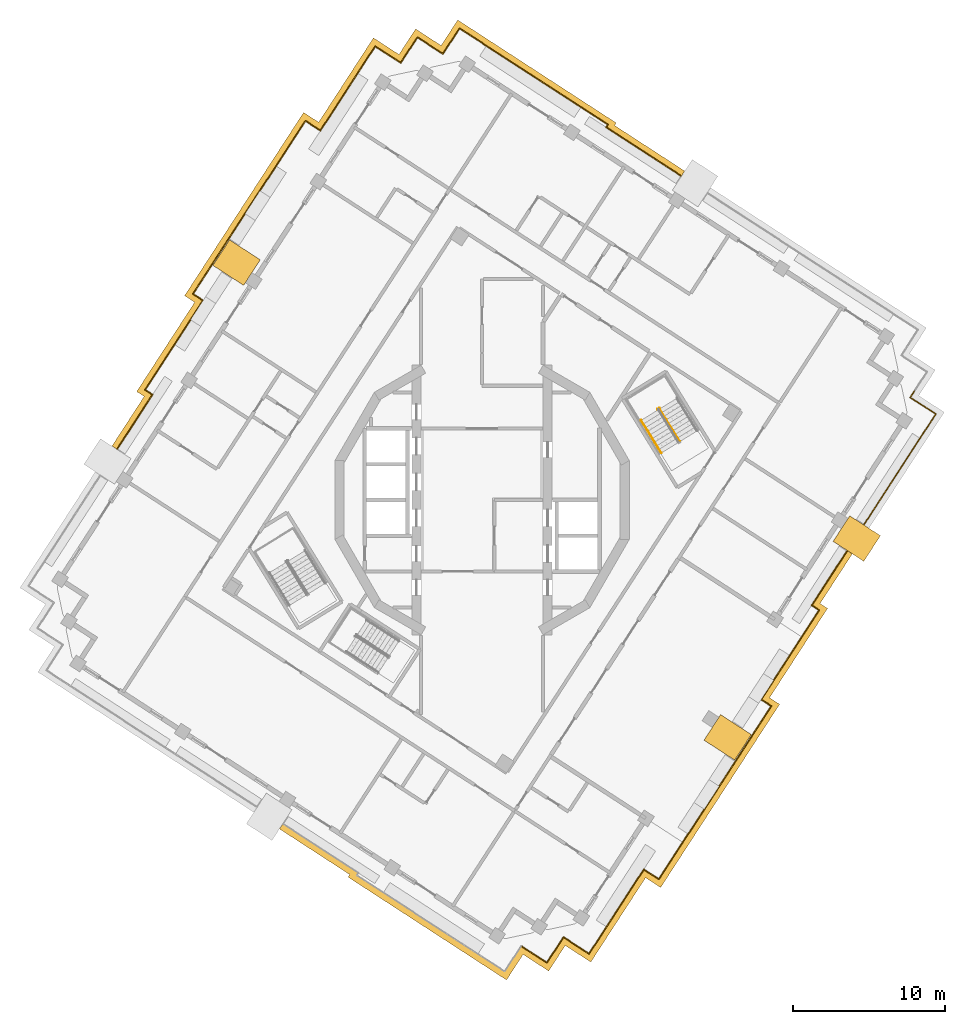
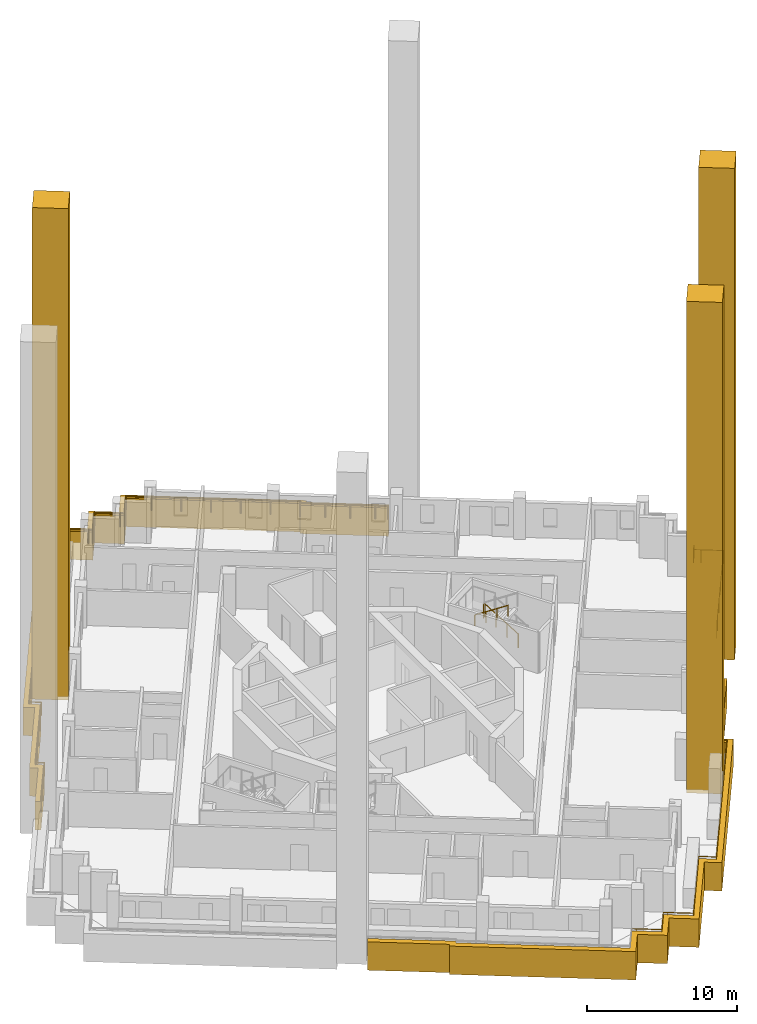
# One storey, part 12 of 15: 6 railings, 5 coverings.
"""IFC4 building model written with IfcOpenShell, lengths in metres."""

from ifc_helpers import new_model, si_unit, direction, frame, origin, origin_2d, place, context, subcontext, project, spatial, polyline, rectangle, circle, outline, extrude, material, type_object, element, save


model = new_model("IFC4")

# Units and contexts
model_context = context("Model", 3, precision=1e-05, world=origin(), true_north=direction((0.0, 1.0)))
body_context = subcontext(model_context, "Body", "Model", "MODEL_VIEW")
ifc_project = project(units=[si_unit("LENGTHUNIT", "METRE"), si_unit("AREAUNIT", "SQUARE_METRE"), si_unit("VOLUMEUNIT", "CUBIC_METRE"), si_unit("PLANEANGLEUNIT", "RADIAN"), si_unit("MASSUNIT", "GRAM", prefix="KILO")], contexts=[model_context])

# Site, building, storey
site_placement = place(None, origin())
site = spatial("IfcSite", under=ifc_project, at=site_placement, CompositionType="ELEMENT")
building_placement = place(site_placement, origin())
building = spatial("IfcBuilding", under=site, at=building_placement, Name="Cantera Rosa Tower", CompositionType="ELEMENT")
storey_placement = place(building_placement, frame((0.0, 0.0, 250.5)))
storey = spatial("IfcBuildingStorey", under=building, at=storey_placement, Name="L55", CompositionType="ELEMENT", Elevation=250.5)

# Railings
ifc_material_1 = material(Name="Stainless steel and laminated glass", Category="steel")
railing_type_1 = type_object("IfcRailingType", Name="GUARD 1100", PredefinedType="BALUSTRADE", material=ifc_material_1)
railing_1_placement = place(storey_placement, frame((-5.338134765625, 28.68505859375, 0.0)))
element("IfcRailing", 1, at=railing_1_placement, inside=storey, type_object=railing_type_1, Name="GUARD L55-3", PredefinedType="BALUSTRADE", context=body_context, shape_type="SweptSolid", body=[
    extrude(circle(Radius=0.030029296875, at=origin_2d()), frame((0.0, 0.0, 1.070068359375), z_axis=(0.5443304008, 0.838870916629, 0.0), x_axis=(-0.838870916629, 0.5443304008, 0.0)), (0.0, 0.0, 1.0), 0.300048828125),
    extrude(circle(Radius=0.030029296875, at=origin_2d()), frame((0.163330078125, 0.251708984375, 1.070068359375), z_axis=(0.544685462014, 0.838640416073, 0.0), x_axis=(-0.838640416073, 0.544685462014, 0.0)), (0.0, 0.0, 1.0), 1.7001953125),
    extrude(circle(Radius=0.030029296875, at=origin_2d()), frame((1.08935546875, 1.677490234375, 1.070068359375), z_axis=(0.83859780397, -0.544751065329, 0.0), x_axis=(0.544751065329, 0.83859780397, 0.0)), (0.0, 0.0, 1.0), 1.699951171875),
    extrude(circle(Radius=0.030029296875, at=origin_2d()), frame((2.514892578125, 0.75146484375, 1.070068359375), z_axis=(0.838870916629, -0.5443304008, 0.0), x_axis=(0.5443304008, 0.838870916629, 0.0)), (0.0, 0.0, 1.0), 0.300048828125),
    extrude(circle(Radius=0.030029296875, at=origin_2d()), frame((2.7666015625, 0.588134765625, 1.070068359375), z_axis=(0.5443304008, 0.838870916629, 0.0), x_axis=(-0.838870916629, 0.5443304008, 0.0)), (0.0, 0.0, 1.0), 0.300048828125),
    extrude(circle(Radius=0.030029296875, at=origin_2d()), frame((2.929931640625, 0.83984375, 1.070068359375), z_axis=(0.544751065329, 0.83859780397, 0.0), x_axis=(-0.83859780397, 0.544751065329, 0.0)), (0.0, 0.0, 1.0), 1.699951171875),
    extrude(circle(Radius=0.030029296875, at=origin_2d()), frame((3.85595703125, 2.265380859375, 1.070068359375), z_axis=(0.838663412569, -0.54465005317, 0.0), x_axis=(0.54465005317, 0.838663412569, 0.0)), (0.0, 0.0, 1.0), 1.69970703125),
    extrude(circle(Radius=0.030029296875, at=origin_2d()), frame((5.281494140625, 1.339599609375, 1.070068359375), z_axis=(0.83867848478, -0.544626843964, 0.0), x_axis=(0.544626843964, 0.83867848478, 0.0)), (0.0, 0.0, 1.0), 9.900146484375),
    extrude(circle(Radius=0.030029296875, at=origin_2d()), frame((13.58447265625, -4.05224609375, 1.070068359375), z_axis=(-0.544516215992, -0.838750314767, 0.0), x_axis=(0.838750314767, -0.544516215992, 0.0)), (0.0, 0.0, 1.0), 0.199951171875),
    extrude(circle(Radius=0.030029296875, at=origin_2d()), frame((13.4755859375, -4.219970703125, 1.070068359375), z_axis=(0.838653278808, -0.544665657027, 0.0), x_axis=(0.544665657027, 0.838653278808, 0.0)), (0.0, 0.0, 1.0), 5.0),
    extrude(circle(Radius=0.030029296875, at=origin_2d()), frame((17.6689453125, -6.943359375, 1.070068359375), z_axis=(0.838725681888, -0.544554157584, 0.0), x_axis=(0.544554157584, 0.838725681888, 0.0)), (0.0, 0.0, 1.0), 0.869873046875),
    extrude(circle(Radius=0.02490234375, at=origin_2d()), origin(), (0.0, 0.0, 1.0), 1.0400390625),
    extrude(circle(Radius=0.02490234375, at=origin_2d()), frame((0.163330078125, 0.251708984375, 0.0)), (0.0, 0.0, 1.0), 1.0400390625),
    extrude(circle(Radius=0.02490234375, at=origin_2d()), frame((1.08935546875, 1.677490234375, 0.0)), (0.0, 0.0, 1.0), 1.0400390625),
    extrude(circle(Radius=0.02490234375, at=origin_2d()), frame((2.514892578125, 0.75146484375, 0.0)), (0.0, 0.0, 1.0), 1.0400390625),
    extrude(circle(Radius=0.02490234375, at=origin_2d()), frame((2.7666015625, 0.588134765625, 0.0)), (0.0, 0.0, 1.0), 1.0400390625),
    extrude(circle(Radius=0.02490234375, at=origin_2d()), frame((2.929931640625, 0.83984375, 0.0)), (0.0, 0.0, 1.0), 1.0400390625),
    extrude(circle(Radius=0.02490234375, at=origin_2d()), frame((3.85595703125, 2.265380859375, 0.0)), (0.0, 0.0, 1.0), 1.0400390625),
    extrude(circle(Radius=0.02490234375, at=origin_2d()), frame((5.281494140625, 1.339599609375, 0.0)), (0.0, 0.0, 1.0), 1.0400390625),
    extrude(circle(Radius=0.02490234375, at=origin_2d()), frame((6.942138671875, 0.26123046875, 0.0)), (0.0, 0.0, 1.0), 1.0400390625),
    extrude(circle(Radius=0.02490234375, at=origin_2d()), frame((8.602783203125, -0.817138671875, 0.0)), (0.0, 0.0, 1.0), 1.0400390625),
    extrude(circle(Radius=0.02490234375, at=origin_2d()), frame((10.26318359375, -1.8955078125, 0.0)), (0.0, 0.0, 1.0), 1.0400390625),
    extrude(circle(Radius=0.02490234375, at=origin_2d()), frame((11.923828125, -2.973876953125, 0.0)), (0.0, 0.0, 1.0), 1.0400390625),
    extrude(circle(Radius=0.02490234375, at=origin_2d()), frame((13.58447265625, -4.05224609375, 0.0)), (0.0, 0.0, 1.0), 1.0400390625),
    extrude(circle(Radius=0.02490234375, at=origin_2d()), frame((13.4755859375, -4.219970703125, 0.0)), (0.0, 0.0, 1.0), 1.0400390625),
    extrude(circle(Radius=0.02490234375, at=origin_2d()), frame((14.873291015625, -5.127685546875, 0.0)), (0.0, 0.0, 1.0), 1.0400390625),
    extrude(circle(Radius=0.02490234375, at=origin_2d()), frame((16.271240234375, -6.03564453125, 0.0)), (0.0, 0.0, 1.0), 1.0400390625),
    extrude(circle(Radius=0.02490234375, at=origin_2d()), frame((17.6689453125, -6.943359375, 0.0)), (0.0, 0.0, 1.0), 1.0400390625),
    extrude(circle(Radius=0.02490234375, at=origin_2d()), frame((18.3984375, -7.4169921875, 0.0)), (0.0, 0.0, 1.0), 1.0400390625),
])
railing_2_placement = place(storey_placement, frame((-23.945556640625, 3.340576171875, 0.0)))
element("IfcRailing", 2, at=railing_2_placement, inside=storey, type_object=railing_type_1, Name="GUARD L55-4", PredefinedType="BALUSTRADE", context=body_context, shape_type="SweptSolid", body=[
    extrude(circle(Radius=0.030029296875, at=origin_2d()), frame((0.0, 0.0, 1.070068359375), z_axis=(0.544623762795, 0.838680485643, 0.0), x_axis=(-0.838680485643, 0.544623762795, 0.0)), (0.0, 0.0, 1.0), 4.2607421875),
    extrude(circle(Radius=0.030029296875, at=origin_2d()), frame((2.320556640625, 3.573486328125, 1.070068359375), z_axis=(-0.838643050361, 0.544681406035, 0.0), x_axis=(-0.544681406035, -0.838643050361, 0.0)), (0.0, 0.0, 1.0), 0.587158203125),
    extrude(circle(Radius=0.030029296875, at=origin_2d()), frame((1.828125, 3.893310546875, 1.070068359375), z_axis=(0.544642131543, 0.838668557029, 0.0), x_axis=(-0.838668557029, 0.544642131543, 0.0)), (0.0, 0.0, 1.0), 6.990478515625),
    extrude(circle(Radius=0.030029296875, at=origin_2d()), frame((5.635498046875, 9.756103515625, 1.070068359375), z_axis=(-0.838697885351, 0.54459696759, 0.0), x_axis=(-0.54459696759, -0.838697885351, 0.0)), (0.0, 0.0, 1.0), 0.78955078125),
    extrude(circle(Radius=0.030029296875, at=origin_2d()), frame((4.973388671875, 10.18603515625, 1.070068359375), z_axis=(0.54463394438, 0.83867387382, 0.0), x_axis=(-0.83867387382, 0.54463394438, 0.0)), (0.0, 0.0, 1.0), 13.537109375),
    extrude(circle(Radius=0.030029296875, at=origin_2d()), frame((12.34619140625, 21.539306640625, 1.070068359375), z_axis=(0.838713269942, -0.544573274062, 0.0), x_axis=(0.544573274062, 0.838713269942, 0.0)), (0.0, 0.0, 1.0), 1.1787109375),
    extrude(circle(Radius=0.030029296875, at=origin_2d()), frame((13.334716796875, 20.8974609375, 1.070068359375), z_axis=(0.544636384681, 0.838672289087, 0.0), x_axis=(-0.838672289087, 0.544636384681, 0.0)), (0.0, 0.0, 1.0), 4.9013671875),
    extrude(circle(Radius=0.030029296875, at=origin_2d()), frame((16.004150390625, 25.008056640625, 1.070068359375), z_axis=(0.544584451758, 0.838706012202, 0.0), x_axis=(-0.838706012202, 0.544584451758, 0.0)), (0.0, 0.0, 1.0), 1.699951171875),
    extrude(circle(Radius=0.030029296875, at=origin_2d()), frame((16.929931640625, 26.433837890625, 1.070068359375), z_axis=(0.838706012202, -0.544584451758, 0.0), x_axis=(0.544584451758, 0.838706012202, 0.0)), (0.0, 0.0, 1.0), 1.699951171875),
    extrude(circle(Radius=0.030029296875, at=origin_2d()), frame((18.355712890625, 25.508056640625, 1.070068359375), z_axis=(0.838499355694, -0.544902588084, 0.0), x_axis=(0.544902588084, 0.838499355694, 0.0)), (0.0, 0.0, 1.0), 0.30029296875),
    extrude(circle(Radius=0.02490234375, at=origin_2d()), origin(), (0.0, 0.0, 1.0), 1.0400390625),
    extrude(circle(Radius=0.02490234375, at=origin_2d()), frame((0.7734375, 1.191162109375, 0.0)), (0.0, 0.0, 1.0), 1.0400390625),
    extrude(circle(Radius=0.02490234375, at=origin_2d()), frame((1.547119140625, 2.38232421875, 0.0)), (0.0, 0.0, 1.0), 1.0400390625),
    extrude(circle(Radius=0.02490234375, at=origin_2d()), frame((2.320556640625, 3.573486328125, 0.0)), (0.0, 0.0, 1.0), 1.0400390625),
    extrude(circle(Radius=0.02490234375, at=origin_2d()), frame((1.828125, 3.893310546875, 0.0)), (0.0, 0.0, 1.0), 1.0400390625),
    extrude(circle(Radius=0.02490234375, at=origin_2d()), frame((2.780029296875, 5.35888671875, 0.0)), (0.0, 0.0, 1.0), 1.0400390625),
    extrude(circle(Radius=0.02490234375, at=origin_2d()), frame((3.73193359375, 6.82470703125, 0.0)), (0.0, 0.0, 1.0), 1.0400390625),
    extrude(circle(Radius=0.02490234375, at=origin_2d()), frame((4.68359375, 8.29052734375, 0.0)), (0.0, 0.0, 1.0), 1.0400390625),
    extrude(circle(Radius=0.02490234375, at=origin_2d()), frame((5.635498046875, 9.756103515625, 0.0)), (0.0, 0.0, 1.0), 1.0400390625),
    extrude(circle(Radius=0.02490234375, at=origin_2d()), frame((4.973388671875, 10.18603515625, 0.0)), (0.0, 0.0, 1.0), 1.0400390625),
    extrude(circle(Radius=0.02490234375, at=origin_2d()), frame((6.026611328125, 11.807861328125, 0.0)), (0.0, 0.0, 1.0), 1.0400390625),
    extrude(circle(Radius=0.02490234375, at=origin_2d()), frame((7.079833984375, 13.429931640625, 0.0)), (0.0, 0.0, 1.0), 1.0400390625),
    extrude(circle(Radius=0.02490234375, at=origin_2d()), frame((8.133056640625, 15.0517578125, 0.0)), (0.0, 0.0, 1.0), 1.0400390625),
    extrude(circle(Radius=0.02490234375, at=origin_2d()), frame((9.1865234375, 16.673583984375, 0.0)), (0.0, 0.0, 1.0), 1.0400390625),
    extrude(circle(Radius=0.02490234375, at=origin_2d()), frame((10.23974609375, 18.29541015625, 0.0)), (0.0, 0.0, 1.0), 1.0400390625),
    extrude(circle(Radius=0.02490234375, at=origin_2d()), frame((11.29296875, 19.91748046875, 0.0)), (0.0, 0.0, 1.0), 1.0400390625),
    extrude(circle(Radius=0.02490234375, at=origin_2d()), frame((12.34619140625, 21.539306640625, 0.0)), (0.0, 0.0, 1.0), 1.0400390625),
    extrude(circle(Radius=0.02490234375, at=origin_2d()), frame((13.334716796875, 20.8974609375, 0.0)), (0.0, 0.0, 1.0), 1.0400390625),
    extrude(circle(Radius=0.02490234375, at=origin_2d()), frame((14.224609375, 22.267578125, 0.0)), (0.0, 0.0, 1.0), 1.0400390625),
    extrude(circle(Radius=0.02490234375, at=origin_2d()), frame((15.1142578125, 23.637939453125, 0.0)), (0.0, 0.0, 1.0), 1.0400390625),
    extrude(circle(Radius=0.02490234375, at=origin_2d()), frame((16.004150390625, 25.008056640625, 0.0)), (0.0, 0.0, 1.0), 1.0400390625),
    extrude(circle(Radius=0.02490234375, at=origin_2d()), frame((16.929931640625, 26.433837890625, 0.0)), (0.0, 0.0, 1.0), 1.0400390625),
    extrude(circle(Radius=0.02490234375, at=origin_2d()), frame((18.355712890625, 25.508056640625, 0.0)), (0.0, 0.0, 1.0), 1.0400390625),
    extrude(circle(Radius=0.02490234375, at=origin_2d()), frame((18.607421875, 25.344482421875, 0.0)), (0.0, 0.0, 1.0), 1.0400390625),
])
railing_3_placement = place(storey_placement, frame((23.945556640625, -3.340576171875, 0.0)))
element("IfcRailing", 3, at=railing_3_placement, inside=storey, type_object=railing_type_1, Name="GUARD L55-6", PredefinedType="BALUSTRADE", context=body_context, shape_type="SweptSolid", body=[
    extrude(circle(Radius=0.030029296875, at=origin_2d()), frame((0.0, 0.0, 1.070068359375), z_axis=(-0.544623762795, -0.838680485643, 0.0), x_axis=(0.838680485643, -0.544623762795, 0.0)), (0.0, 0.0, 1.0), 4.2607421875),
    extrude(circle(Radius=0.030029296875, at=origin_2d()), frame((-2.320556640625, -3.573486328125, 1.070068359375), z_axis=(0.838643050361, -0.544681406035, 0.0), x_axis=(0.544681406035, 0.838643050361, 0.0)), (0.0, 0.0, 1.0), 0.587158203125),
    extrude(circle(Radius=0.030029296875, at=origin_2d()), frame((-1.828125, -3.893310546875, 1.070068359375), z_axis=(-0.544629699743, -0.838676630268, 0.0), x_axis=(0.838676630268, -0.544629699743, 0.0)), (0.0, 0.0, 1.0), 6.987548828125),
    extrude(circle(Radius=0.030029296875, at=origin_2d()), frame((-5.6337890625, -9.753662109375, 1.070068359375), z_axis=(-0.514495755428, -0.857492925713, 0.0), x_axis=(0.857492925713, -0.514495755428, 0.0)), (0.0, 0.0, 1.0), 0.0029296875),
    extrude(circle(Radius=0.030029296875, at=origin_2d()), frame((-5.63525390625, -9.756103515625, 1.070068359375), z_axis=(0.832050294338, -0.554700196225, 0.0), x_axis=(0.554700196225, 0.832050294338, 0.0)), (0.0, 0.0, 1.0), 0.00341796875),
    extrude(circle(Radius=0.030029296875, at=origin_2d()), frame((-5.63232421875, -9.758056640625, 1.070068359375), z_axis=(0.838571552031, -0.544791475818, 0.0), x_axis=(0.544791475818, 0.838571552031, 0.0)), (0.0, 0.0, 1.0), 0.4794921875),
    extrude(circle(Radius=0.030029296875, at=origin_2d()), frame((-5.230224609375, -10.019287109375, 1.070068359375), z_axis=(0.838734943729, -0.544539892174, 0.0), x_axis=(0.544539892174, 0.838734943729, 0.0)), (0.0, 0.0, 1.0), 0.30615234375),
    extrude(circle(Radius=0.030029296875, at=origin_2d()), frame((-4.973388671875, -10.18603515625, 1.070068359375), z_axis=(-0.544471008486, -0.838779661722, 0.0), x_axis=(0.838779661722, -0.544471008486, 0.0)), (0.0, 0.0, 1.0), 0.1494140625),
    extrude(circle(Radius=0.030029296875, at=origin_2d()), frame((-5.0546875, -10.311279296875, 1.070068359375), z_axis=(-0.316227766017, -0.948683298051, 0.0), x_axis=(0.948683298051, -0.316227766017, 0.0)), (0.0, 0.0, 1.0), 0.000732421875),
    extrude(circle(Radius=0.030029296875, at=origin_2d()), frame((-5.054931640625, -10.31201171875, 1.070068359375), z_axis=(-0.544651498651, -0.838662473834, 0.0), x_axis=(0.838662473834, -0.544651498651, 0.0)), (0.0, 0.0, 1.0), 8.280517578125),
    extrude(circle(Radius=0.030029296875, at=origin_2d()), frame((-9.56494140625, -17.256591796875, 1.070068359375), z_axis=(-0.544642128742, -0.838668558848, 0.0), x_axis=(0.838668558848, -0.544642128742, 0.0)), (0.0, 0.0, 1.0), 5.1064453125),
    extrude(circle(Radius=0.030029296875, at=origin_2d()), frame((-12.34619140625, -21.539306640625, 1.070068359375), z_axis=(-0.838713269942, 0.544573274062, 0.0), x_axis=(-0.544573274062, -0.838713269942, 0.0)), (0.0, 0.0, 1.0), 1.1787109375),
    extrude(circle(Radius=0.030029296875, at=origin_2d()), frame((-13.334716796875, -20.8974609375, 1.070068359375), z_axis=(-0.544636384681, -0.838672289087, 0.0), x_axis=(0.838672289087, -0.544636384681, 0.0)), (0.0, 0.0, 1.0), 4.9013671875),
    extrude(circle(Radius=0.030029296875, at=origin_2d()), frame((-16.004150390625, -25.008056640625, 1.070068359375), z_axis=(-0.544584451758, -0.838706012202, 0.0), x_axis=(0.838706012202, -0.544584451758, 0.0)), (0.0, 0.0, 1.0), 1.699951171875),
    extrude(circle(Radius=0.030029296875, at=origin_2d()), frame((-16.929931640625, -26.433837890625, 1.070068359375), z_axis=(-0.838706012202, 0.544584451758, 0.0), x_axis=(-0.544584451758, -0.838706012202, 0.0)), (0.0, 0.0, 1.0), 1.699951171875),
    extrude(circle(Radius=0.030029296875, at=origin_2d()), frame((-18.355712890625, -25.508056640625, 1.070068359375), z_axis=(-0.838499355694, 0.544902588084, 0.0), x_axis=(-0.544902588084, -0.838499355694, 0.0)), (0.0, 0.0, 1.0), 0.30029296875),
    extrude(circle(Radius=0.030029296875, at=origin_2d()), frame((-18.607421875, -25.344482421875, 1.070068359375), z_axis=(-0.5443304008, -0.838870916629, 0.0), x_axis=(0.838870916629, -0.5443304008, 0.0)), (0.0, 0.0, 1.0), 0.300048828125),
    extrude(circle(Radius=0.030029296875, at=origin_2d()), frame((-18.770751953125, -25.59619140625, 1.070068359375), z_axis=(-0.544685462014, -0.838640416073, 0.0), x_axis=(0.838640416073, -0.544685462014, 0.0)), (0.0, 0.0, 1.0), 1.7001953125),
    extrude(circle(Radius=0.030029296875, at=origin_2d()), frame((-19.69677734375, -27.02197265625, 1.070068359375), z_axis=(-0.83859780397, 0.544751065329, 0.0), x_axis=(-0.544751065329, -0.83859780397, 0.0)), (0.0, 0.0, 1.0), 1.699951171875),
    extrude(circle(Radius=0.030029296875, at=origin_2d()), frame((-21.122314453125, -26.095947265625, 1.070068359375), z_axis=(-0.838870916629, 0.5443304008, 0.0), x_axis=(-0.5443304008, -0.838870916629, 0.0)), (0.0, 0.0, 1.0), 0.300048828125),
    extrude(circle(Radius=0.02490234375, at=origin_2d()), origin(), (0.0, 0.0, 1.0), 1.0400390625),
    extrude(circle(Radius=0.02490234375, at=origin_2d()), frame((-0.7734375, -1.191162109375, 0.0)), (0.0, 0.0, 1.0), 1.0400390625),
    extrude(circle(Radius=0.02490234375, at=origin_2d()), frame((-1.547119140625, -2.38232421875, 0.0)), (0.0, 0.0, 1.0), 1.0400390625),
    extrude(circle(Radius=0.02490234375, at=origin_2d()), frame((-2.320556640625, -3.573486328125, 0.0)), (0.0, 0.0, 1.0), 1.0400390625),
    extrude(circle(Radius=0.02490234375, at=origin_2d()), frame((-1.828125, -3.893310546875, 0.0)), (0.0, 0.0, 1.0), 1.0400390625),
    extrude(circle(Radius=0.02490234375, at=origin_2d()), frame((-2.779541015625, -5.3583984375, 0.0)), (0.0, 0.0, 1.0), 1.0400390625),
    extrude(circle(Radius=0.02490234375, at=origin_2d()), frame((-3.73095703125, -6.823486328125, 0.0)), (0.0, 0.0, 1.0), 1.0400390625),
    extrude(circle(Radius=0.02490234375, at=origin_2d()), frame((-4.682373046875, -8.28857421875, 0.0)), (0.0, 0.0, 1.0), 1.0400390625),
    extrude(circle(Radius=0.02490234375, at=origin_2d()), frame((-5.6337890625, -9.753662109375, 0.0)), (0.0, 0.0, 1.0), 1.0400390625),
    extrude(circle(Radius=0.02490234375, at=origin_2d()), frame((-5.63525390625, -9.756103515625, 0.0)), (0.0, 0.0, 1.0), 1.0400390625),
    extrude(circle(Radius=0.02490234375, at=origin_2d()), frame((-5.63232421875, -9.758056640625, 0.0)), (0.0, 0.0, 1.0), 1.0400390625),
    extrude(circle(Radius=0.02490234375, at=origin_2d()), frame((-5.230224609375, -10.019287109375, 0.0)), (0.0, 0.0, 1.0), 1.0400390625),
    extrude(circle(Radius=0.02490234375, at=origin_2d()), frame((-4.973388671875, -10.18603515625, 0.0)), (0.0, 0.0, 1.0), 1.0400390625),
    extrude(circle(Radius=0.02490234375, at=origin_2d()), frame((-5.0546875, -10.311279296875, 0.0)), (0.0, 0.0, 1.0), 1.0400390625),
    extrude(circle(Radius=0.02490234375, at=origin_2d()), frame((-5.054931640625, -10.31201171875, 0.0)), (0.0, 0.0, 1.0), 1.0400390625),
    extrude(circle(Radius=0.02490234375, at=origin_2d()), frame((-6.182373046875, -12.048095703125, 0.0)), (0.0, 0.0, 1.0), 1.0400390625),
    extrude(circle(Radius=0.02490234375, at=origin_2d()), frame((-7.31005859375, -13.7841796875, 0.0)), (0.0, 0.0, 1.0), 1.0400390625),
    extrude(circle(Radius=0.02490234375, at=origin_2d()), frame((-8.4375, -15.5205078125, 0.0)), (0.0, 0.0, 1.0), 1.0400390625),
    extrude(circle(Radius=0.02490234375, at=origin_2d()), frame((-9.56494140625, -17.256591796875, 0.0)), (0.0, 0.0, 1.0), 1.0400390625),
    extrude(circle(Radius=0.02490234375, at=origin_2d()), frame((-10.491943359375, -18.68408203125, 0.0)), (0.0, 0.0, 1.0), 1.0400390625),
    extrude(circle(Radius=0.02490234375, at=origin_2d()), frame((-11.419189453125, -20.11181640625, 0.0)), (0.0, 0.0, 1.0), 1.0400390625),
    extrude(circle(Radius=0.02490234375, at=origin_2d()), frame((-12.34619140625, -21.539306640625, 0.0)), (0.0, 0.0, 1.0), 1.0400390625),
    extrude(circle(Radius=0.02490234375, at=origin_2d()), frame((-13.334716796875, -20.8974609375, 0.0)), (0.0, 0.0, 1.0), 1.0400390625),
    extrude(circle(Radius=0.02490234375, at=origin_2d()), frame((-14.224609375, -22.267578125, 0.0)), (0.0, 0.0, 1.0), 1.0400390625),
    extrude(circle(Radius=0.02490234375, at=origin_2d()), frame((-15.1142578125, -23.637939453125, 0.0)), (0.0, 0.0, 1.0), 1.0400390625),
    extrude(circle(Radius=0.02490234375, at=origin_2d()), frame((-16.004150390625, -25.008056640625, 0.0)), (0.0, 0.0, 1.0), 1.0400390625),
    extrude(circle(Radius=0.02490234375, at=origin_2d()), frame((-16.929931640625, -26.433837890625, 0.0)), (0.0, 0.0, 1.0), 1.0400390625),
    extrude(circle(Radius=0.02490234375, at=origin_2d()), frame((-18.355712890625, -25.508056640625, 0.0)), (0.0, 0.0, 1.0), 1.0400390625),
    extrude(circle(Radius=0.02490234375, at=origin_2d()), frame((-18.607421875, -25.344482421875, 0.0)), (0.0, 0.0, 1.0), 1.0400390625),
    extrude(circle(Radius=0.02490234375, at=origin_2d()), frame((-18.770751953125, -25.59619140625, 0.0)), (0.0, 0.0, 1.0), 1.0400390625),
    extrude(circle(Radius=0.02490234375, at=origin_2d()), frame((-19.69677734375, -27.02197265625, 0.0)), (0.0, 0.0, 1.0), 1.0400390625),
    extrude(circle(Radius=0.02490234375, at=origin_2d()), frame((-21.122314453125, -26.095947265625, 0.0)), (0.0, 0.0, 1.0), 1.0400390625),
    extrude(circle(Radius=0.02490234375, at=origin_2d()), frame((-21.3740234375, -25.9326171875, 0.0)), (0.0, 0.0, 1.0), 1.0400390625),
])
railing_4_placement = place(storey_placement, frame((28.3720703125, 7.151123046875, 0.0)))
element("IfcRailing", 4, at=railing_4_placement, inside=storey, type_object=railing_type_1, Name="GUARD L55-7", PredefinedType="BALUSTRADE", context=body_context, shape_type="SweptSolid", body=[
    extrude(circle(Radius=0.030029296875, at=origin_2d()), frame((0.0, 0.0, 1.070068359375), z_axis=(-0.544627753175, -0.83867789435, 0.0), x_axis=(0.83867789435, -0.544627753175, 0.0)), (0.0, 0.0, 1.0), 0.499755859375),
    extrude(circle(Radius=0.030029296875, at=origin_2d()), frame((-0.272216796875, -0.419189453125, 1.070068359375), z_axis=(0.838454772945, -0.544971186143, 0.0), x_axis=(0.544971186143, 0.838454772945, 0.0)), (0.0, 0.0, 1.0), 0.5),
    extrude(circle(Radius=0.030029296875, at=origin_2d()), frame((0.14697265625, -0.691650390625, 1.070068359375), z_axis=(0.8387001057, -0.544593548161, 0.0), x_axis=(0.544593548161, 0.8387001057, 0.0)), (0.0, 0.0, 1.0), 1.5),
    extrude(circle(Radius=0.030029296875, at=origin_2d()), frame((1.405029296875, -1.508544921875, 1.070068359375), z_axis=(-0.544593548161, -0.8387001057, 0.0), x_axis=(0.8387001057, -0.544593548161, 0.0)), (0.0, 0.0, 1.0), 1.5),
    extrude(circle(Radius=0.030029296875, at=origin_2d()), frame((0.588134765625, -2.7666015625, 1.070068359375), z_axis=(-0.544645228423, -0.838666545867, 0.0), x_axis=(0.838666545867, -0.544645228423, 0.0)), (0.0, 0.0, 1.0), 6.2783203125),
    extrude(circle(Radius=0.030029296875, at=origin_2d()), frame((-2.831298828125, -8.031982421875, 1.070068359375), z_axis=(0.832050294338, -0.554700196225, 0.0), x_axis=(0.554700196225, 0.832050294338, 0.0)), (0.0, 0.0, 1.0), 0.001708984375),
    extrude(circle(Radius=0.030029296875, at=origin_2d()), frame((-2.829833984375, -8.032958984375, 1.070068359375), z_axis=(-0.544643812911, -0.838667465124, 0.0), x_axis=(0.838667465124, -0.544643812911, 0.0)), (0.0, 0.0, 1.0), 0.871826171875),
    extrude(circle(Radius=0.02490234375, at=origin_2d()), origin(), (0.0, 0.0, 1.0), 1.0400390625),
    extrude(circle(Radius=0.02490234375, at=origin_2d()), frame((-0.272216796875, -0.419189453125, 0.0)), (0.0, 0.0, 1.0), 1.0400390625),
    extrude(circle(Radius=0.02490234375, at=origin_2d()), frame((0.14697265625, -0.691650390625, 0.0)), (0.0, 0.0, 1.0), 1.0400390625),
    extrude(circle(Radius=0.02490234375, at=origin_2d()), frame((1.405029296875, -1.508544921875, 0.0)), (0.0, 0.0, 1.0), 1.0400390625),
    extrude(circle(Radius=0.02490234375, at=origin_2d()), frame((0.588134765625, -2.7666015625, 0.0)), (0.0, 0.0, 1.0), 1.0400390625),
    extrude(circle(Radius=0.02490234375, at=origin_2d()), frame((-0.5517578125, -4.521728515625, 0.0)), (0.0, 0.0, 1.0), 1.0400390625),
    extrude(circle(Radius=0.02490234375, at=origin_2d()), frame((-1.69140625, -6.27685546875, 0.0)), (0.0, 0.0, 1.0), 1.0400390625),
    extrude(circle(Radius=0.02490234375, at=origin_2d()), frame((-2.831298828125, -8.031982421875, 0.0)), (0.0, 0.0, 1.0), 1.0400390625),
    extrude(circle(Radius=0.02490234375, at=origin_2d()), frame((-2.829833984375, -8.032958984375, 0.0)), (0.0, 0.0, 1.0), 1.0400390625),
    extrude(circle(Radius=0.02490234375, at=origin_2d()), frame((-3.3046875, -8.76416015625, 0.0)), (0.0, 0.0, 1.0), 1.0400390625),
])
ifc_material_2 = material(Name="Steel S355J2 (EN 10025-2)", Category="steel")
railing_type_2 = type_object("IfcRailingType", Name="STAIR GUARD 1100", PredefinedType="GUARDRAIL", material=ifc_material_2)
railing_5_placement = place(storey_placement, frame((12.9765625, 3.834228515625, 0.179931640625)))
element("IfcRailing", 5, at=railing_5_placement, inside=storey, type_object=railing_type_2, Name="L55 ST-51 stair guard 1", PredefinedType="GUARDRAIL", context=body_context, shape_type="SweptSolid", body=[
    extrude(circle(Radius=0.02392578125, at=origin_2d()), frame((0.0, 0.0, 1.076171875), z_axis=(-0.44154346381, 0.715939337315, 0.540805172729), x_axis=(-0.851145618652, -0.524929648476, 0.0)), (0.0, 0.0, 1.0), 2.995849609375),
    extrude(circle(Radius=0.02392578125, at=origin_2d()), frame((-1.32275390625, 2.144775390625, 2.6962890625), z_axis=(-0.073711968402, 0.997279572494, 0.0), x_axis=(-0.997279572494, -0.073711968402, 0.0)), (0.0, 0.0, 1.0), 0.056396484375),
    extrude(circle(Radius=0.02392578125, at=origin_2d()), frame((-1.326904296875, 2.200927734375, 2.6962890625), z_axis=(-0.851546489876, -0.524279100842, 0.0), x_axis=(0.524279100842, -0.851546489876, 0.0)), (0.0, 0.0, 1.0), 0.14990234375),
    extrude(circle(Radius=0.02099609375, at=origin_2d()), origin(), (0.0, 0.0, 1.0), 1.052001953125),
    extrude(circle(Radius=0.02099609375, at=origin_2d()), frame((-0.44091796875, 0.71484375, 0.5400390625)), (0.0, 0.0, 1.0), 1.052001953125),
    extrude(circle(Radius=0.02099609375, at=origin_2d()), frame((-0.8818359375, 1.429931640625, 1.080078125)), (0.0, 0.0, 1.0), 1.052001953125),
    extrude(circle(Radius=0.02099609375, at=origin_2d()), frame((-1.32275390625, 2.144775390625, 1.6201171875)), (0.0, 0.0, 1.0), 1.052001953125),
    extrude(circle(Radius=0.02099609375, at=origin_2d()), frame((-1.326904296875, 2.200927734375, 1.6201171875)), (0.0, 0.0, 1.0), 1.052001953125),
    extrude(circle(Radius=0.02099609375, at=origin_2d()), frame((-1.45458984375, 2.122314453125, 1.6201171875)), (0.0, 0.0, 1.0), 1.052001953125),
])
ifc_material_3 = material(Name="Steel S355J2 (EN 10025-2)", Category="steel")
railing_type_3 = type_object("IfcRailingType", Name="STAIR HANDRAIL 900", PredefinedType="HANDRAIL", material=ifc_material_3)
railing_6_placement = place(storey_placement, frame((10.441650390625, 5.2314453125, 1.97998046875)))
element("IfcRailing", 6, at=railing_6_placement, inside=storey, type_object=railing_type_3, Name="L55 ST-51 stair handrail 2", PredefinedType="HANDRAIL", context=body_context, shape_type="SweptSolid", body=[
    extrude(circle(Radius=0.02392578125, at=origin_2d()), frame((0.0, 0.0, 0.8759765625), z_axis=(0.441609067481, -0.715913574058, 0.540785711718), x_axis=(0.851102330005, 0.524999832248, 0.0)), (0.0, 0.0, 1.0), 2.995849609375),
    extrude(circle(Radius=0.02099609375, at=origin_2d()), origin(), (0.0, 0.0, 1.0), 0.851806640625),
    extrude(circle(Radius=0.02099609375, at=origin_2d()), frame((0.44091796875, -0.71484375, 0.5400390625)), (0.0, 0.0, 1.0), 0.851806640625),
    extrude(circle(Radius=0.02099609375, at=origin_2d()), frame((0.882080078125, -1.429931640625, 1.080078125)), (0.0, 0.0, 1.0), 0.851806640625),
    extrude(circle(Radius=0.02099609375, at=origin_2d()), frame((1.322998046875, -2.144775390625, 1.6201171875)), (0.0, 0.0, 1.0), 0.851806640625),
])

# Coverings
ifc_material_4 = material(Name="Cantera stone", Category="masonry")
covering_type_1 = type_object("IfcCoveringType", Name="STONE FIN 2000x2400", PredefinedType="CLADDING", material=ifc_material_4)
for number, where, z_axis, x_axis, name in (
    (7, (-16.1142578125, 15.579833984375, -0.300048828125), (0.0, 0.0, 1.0), (-0.544639035015, -0.838670567945, 0.0), "STONE FIN FN-Z5-02"),
    (8, (16.1142578125, -15.579833984375, -0.300048828125), (0.0, 0.0, 1.0), (0.544639035015, 0.838670567945, 0.0), "STONE FIN FN-Z5-04"),
    (9, (24.5888671875, -2.5302734375, -0.300048828125), (0.0, 0.0, 1.0), (0.544639035015, 0.838670567945, 0.0), "STONE FIN FN-Z5-05"),
):
    element("IfcCovering", number, at=place(storey_placement, frame(where, z_axis=z_axis, x_axis=x_axis)), inside=storey, type_object=covering_type_1, Name=name, PredefinedType="CLADDING", context=body_context, shape_type="SweptSolid", body=[
        extrude(rectangle(XDim=2.0, YDim=2.39990234375, at=origin_2d()), origin(), (0.0, 0.0, 1.0), 39.89990234375),
    ])
ifc_material_5 = material(Name="Cantera stone", Category="masonry")
covering_type_2 = type_object("IfcCoveringType", Name="TRAY FASCIA 400", PredefinedType="CLADDING", material=ifc_material_5)
covering_1_placement = place(storey_placement, frame((0.0, 0.0, -1.39990234375)))
element("IfcCovering", 10, at=covering_1_placement, inside=storey, type_object=covering_type_2, Name="TRAY FASCIA L55-02", PredefinedType="CLADDING", context=body_context, shape_type="SweptSolid", body=[
    extrude(outline(polyline([(-22.17822265625, 6.79638671875), (-22.6708984375, 7.1162109375), (-18.863525390625, 12.97900390625), (-19.525390625, 13.4091796875), (-11.717041015625, 25.43310546875), (-10.728515625, 24.791259765625), (-8.27685546875, 28.56640625), (-7.133056640625, 30.32763671875), (-5.455810546875, 29.238525390625), (-4.366455078125, 30.915771484375), (-2.689208984375, 29.826416015625), (-1.599853515625, 31.50390625), (0.161376953125, 30.360107421875), (8.799560546875, 24.750244140625), (8.690673828125, 24.58251953125), (12.548583984375, 22.0771484375), (13.294921875, 21.592529296875), (13.0771484375, 21.257080078125), (12.330810546875, 21.74169921875), (8.137451171875, 24.465087890625), (8.246337890625, 24.6328125), (-0.056640625, 30.024658203125), (-1.482177734375, 30.950439453125), (-2.408203125, 29.52490234375), (-2.571533203125, 29.273193359375), (-2.8232421875, 29.4365234375), (-4.248779296875, 30.362548828125), (-5.1748046875, 28.936767578125), (-5.338134765625, 28.68505859375), (-5.58984375, 28.8486328125), (-7.015625, 29.7744140625), (-7.94140625, 28.3486328125), (-10.61083984375, 24.238037109375), (-11.599365234375, 24.8798828125), (-18.97216796875, 13.526611328125), (-18.31005859375, 13.0966796875), (-22.117431640625, 7.23388671875), (-21.625, 6.9140625), (-23.956298828125, 3.32373046875), (-24.291748046875, 3.541748046875), (-22.17822265625, 6.79638671875)])), origin(), (0.0, 0.0, 1.0), 2.2998046875),
])
covering_2_placement = place(storey_placement, frame((0.0, 0.0, -1.39990234375)))
element("IfcCovering", 11, at=covering_2_placement, inside=storey, type_object=covering_type_2, Name="TRAY FASCIA L55-03", PredefinedType="CLADDING", context=body_context, shape_type="SweptSolid", body=[
    extrude(outline(polyline([(-13.294921875, -21.592529296875), (-13.0771484375, -21.257080078125), (-12.330810546875, -21.74169921875), (-8.137451171875, -24.465087890625), (-8.246337890625, -24.6328125), (0.056640625, -30.024658203125), (1.482177734375, -30.950439453125), (2.408203125, -29.52490234375), (2.571533203125, -29.273193359375), (2.8232421875, -29.4365234375), (4.248779296875, -30.362548828125), (5.1748046875, -28.936767578125), (5.338134765625, -28.68505859375), (5.58984375, -28.8486328125), (7.015625, -29.7744140625), (7.94140625, -28.3486328125), (10.61083984375, -24.238037109375), (11.599365234375, -24.8798828125), (18.97216796875, -13.526611328125), (18.31005859375, -13.0966796875), (22.117431640625, -7.23388671875), (21.625, -6.9140625), (23.956298828125, -3.32373046875), (24.291748046875, -3.541748046875), (22.17822265625, -6.79638671875), (22.6708984375, -7.1162109375), (18.863525390625, -12.97900390625), (19.525390625, -13.4091796875), (11.717041015625, -25.43310546875), (10.728515625, -24.791259765625), (8.27685546875, -28.56640625), (7.133056640625, -30.32763671875), (5.455810546875, -29.238525390625), (4.366455078125, -30.915771484375), (2.689208984375, -29.826416015625), (1.599853515625, -31.50390625), (-0.161376953125, -30.360107421875), (-8.799560546875, -24.750244140625), (-8.690673828125, -24.58251953125), (-12.548583984375, -22.0771484375), (-13.294921875, -21.592529296875)])), origin(), (0.0, 0.0, 1.0), 2.2998046875),
])

save(model, "model.ifc")
